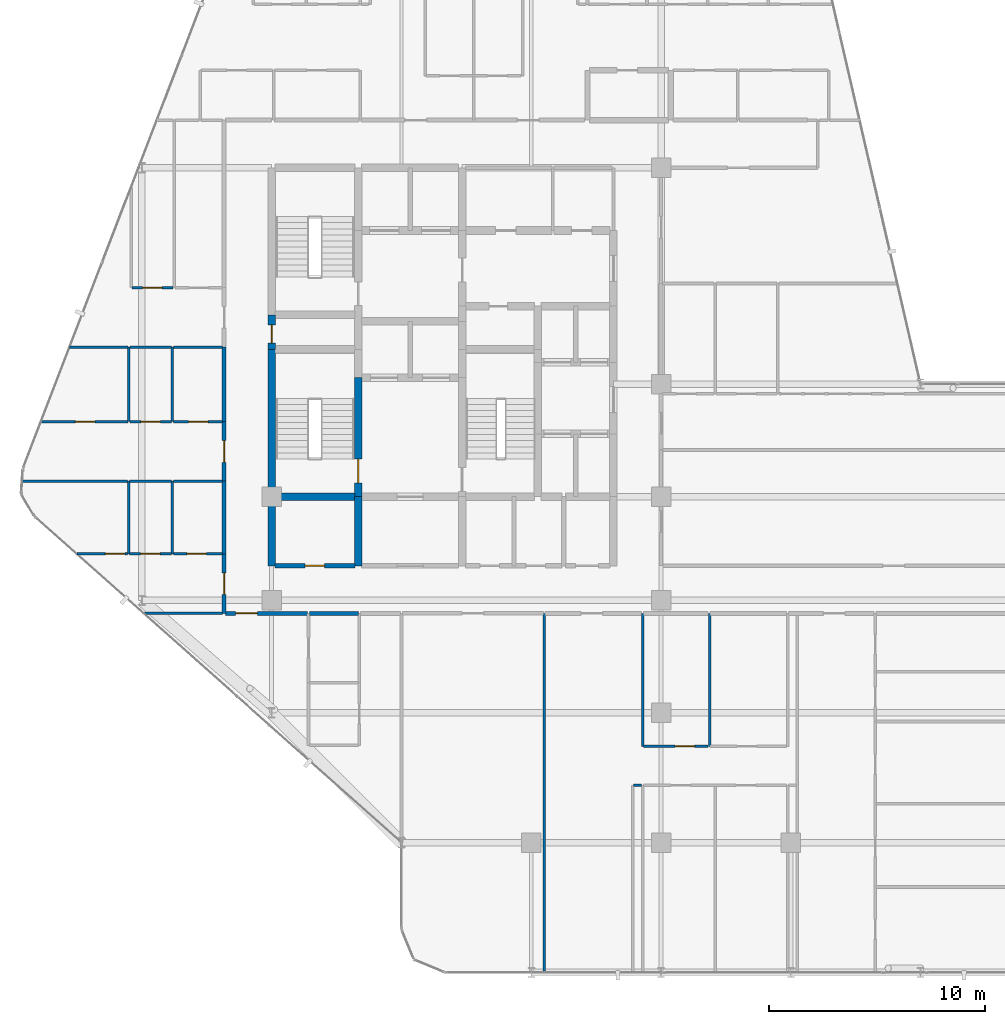
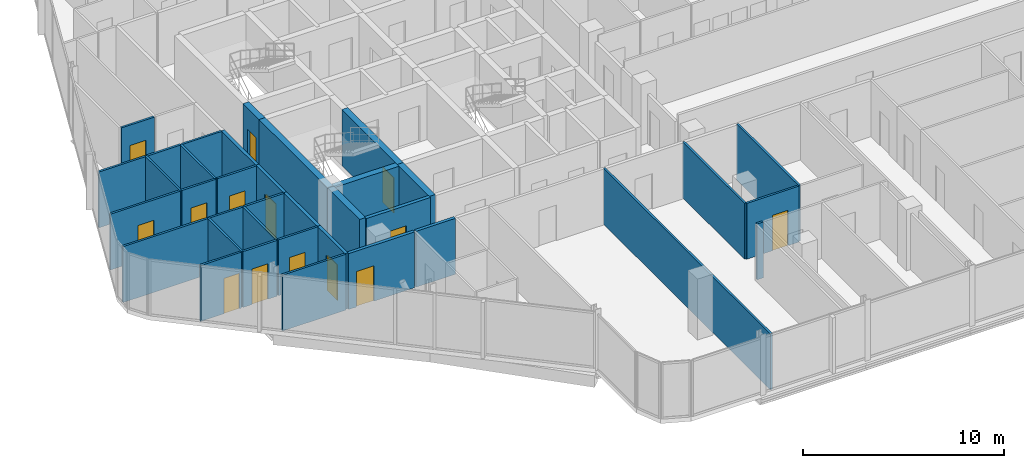
# One storey, part 23 of 29: 36 walls, 14 doors, 14 openings.
"""IFC4 building model written with IfcOpenShell, lengths in metres."""

import ifcopenshell
import ifcopenshell.guid

model = None  # the IFC model being written
_history = None  # IfcOwnerHistory: only IFC2X3 demands one
_inside = {}  # id of a spatial element -> (the spatial element, [elements in it])
_under = {}  # id of a project, library or spatial element -> (it, [spatial elements below it])
_declared = {}  # id of a project -> (the project, [libraries it declares])
_typed = {}  # id of a type object -> (the type object, [elements of that type])
_made_of = {}  # id of a material, layer set ... -> (it, [elements and type objects made of it])


def new_model(schema):
    """Start an empty IFC model of exactly this schema.

    Asked for "IFC4X3", IfcOpenShell would pick the latest addendum, in which some entities
    have other attributes; the version numbers below select the first issue.
    IFC2X3 requires an IfcOwnerHistory on every rooted entity: one is made here for all.
    """
    global model, _history
    if schema == "IFC4X3":
        model = ifcopenshell.file(schema_version=(4, 3, 0, 0))
    else:
        model = ifcopenshell.file(schema=schema)
    _inside.clear()
    _under.clear()
    _declared.clear()
    _typed.clear()
    _made_of.clear()
    _history = None
    if model.schema == "IFC2X3":
        org = make("IfcOrganization", Name="unknown")
        user = make(
            "IfcPersonAndOrganization",
            ThePerson=make("IfcPerson", FamilyName="unknown"),
            TheOrganization=org,
        )
        app = make(
            "IfcApplication",
            ApplicationDeveloper=org,
            Version="unknown",
            ApplicationFullName="unknown",
            ApplicationIdentifier="unknown",
        )
        _history = make(
            "IfcOwnerHistory",
            OwningUser=user,
            OwningApplication=app,
            ChangeAction="ADDED",
            CreationDate=0,
        )
    return model


def make(cls, **values):
    """One entity of the class cls with the attributes given. An attribute that is None is left unset."""
    return model.create_entity(
        cls, **{name: value for name, value in values.items() if value is not None}
    )


def rooted(cls, **values):
    """An entity with a GlobalId (a new one), such as an element, a storey or a relation."""
    return make(cls, GlobalId=ifcopenshell.guid.new(), OwnerHistory=_history, **values)


def si_unit(unit_type, name, prefix=None):
    """IfcSIUnit, for example si_unit("LENGTHUNIT", "METRE", prefix="MILLI")."""
    return make("IfcSIUnit", UnitType=unit_type, Prefix=prefix, Name=name)


def assignment(units):
    """IfcUnitAssignment: the units of a project."""
    return None if units is None else make("IfcUnitAssignment", Units=units)


def point(xyz):
    """IfcCartesianPoint."""
    return None if xyz is None else make("IfcCartesianPoint", Coordinates=xyz)


def direction(xyz):
    """IfcDirection."""
    return None if xyz is None else make("IfcDirection", DirectionRatios=xyz)


def frame(location, z_axis=None, x_axis=None):
    """IfcAxis2Placement3D, a coordinate frame: its origin and axes. An axis left out is left unset."""
    return make(
        "IfcAxis2Placement3D",
        Location=point(location),
        Axis=direction(z_axis),
        RefDirection=direction(x_axis),
    )


def frame_2d(location, x_axis=None):
    """IfcAxis2Placement2D, a coordinate frame in the plane: its origin and x axis."""
    return make(
        "IfcAxis2Placement2D", Location=point(location), RefDirection=direction(x_axis)
    )


def origin():
    """The frame at (0, 0, 0) with its axes left unset."""
    return frame((0.0, 0.0, 0.0))


def place(relative_to, where):
    """IfcLocalPlacement: puts the frame where relative to a parent placement (None: the world)."""
    return make(
        "IfcLocalPlacement", PlacementRelTo=relative_to, RelativePlacement=where
    )


def context(
    kind, dimensions, precision=None, world=None, true_north=None, identifier=None
):
    """IfcGeometricRepresentationContext, for example the 3D "Model" context."""
    return make(
        "IfcGeometricRepresentationContext",
        ContextIdentifier=identifier,
        ContextType=kind,
        CoordinateSpaceDimension=dimensions,
        Precision=precision,
        WorldCoordinateSystem=world,
        TrueNorth=true_north,
    )


def subcontext(parent, identifier, kind, view, scale=None):
    """IfcGeometricRepresentationSubContext, for example "Body" below "Model"."""
    return make(
        "IfcGeometricRepresentationSubContext",
        ContextIdentifier=identifier,
        ContextType=kind,
        ParentContext=parent,
        TargetScale=scale,
        TargetView=view,
    )


def project(units=None, contexts=None):
    """IfcProject with its units and contexts."""
    return rooted(
        "IfcProject",
        Name="project",
        RepresentationContexts=contexts,
        UnitsInContext=assignment(units),
    )


def spatial(cls, under=None, at=None, **own):
    """A site, building, storey or space (cls), placed at a placement, below another one or the project."""
    s = rooted(cls, ObjectPlacement=at, **own)
    if under is not None:
        _under.setdefault(under.id(), (under, []))[1].append(s)
    return s


def profile(cls, at=None, kind="AREA", **sizes):
    """A parametric profile (cls). Its sizes go by their IFC names, for example OverallWidth=200.0."""
    return make(cls, ProfileType=kind, Position=at, **sizes)


def rectangle(**sizes):
    """IfcRectangleProfileDef."""
    return profile("IfcRectangleProfileDef", **sizes)


def extrude(swept, where, along, depth):
    """IfcExtrudedAreaSolid: the profile swept, set in the frame where, extruded along a direction by depth."""
    return make(
        "IfcExtrudedAreaSolid",
        SweptArea=swept,
        Position=where,
        ExtrudedDirection=direction(along),
        Depth=depth,
    )


def shape(context_of_items, identifier, shape_type, items):
    """IfcShapeRepresentation: the items that make up one representation, for example the "Body"."""
    return make(
        "IfcShapeRepresentation",
        ContextOfItems=context_of_items,
        RepresentationIdentifier=identifier,
        RepresentationType=shape_type,
        Items=items,
    )


def material(Name=None, Category=None):
    """IfcMaterial."""
    return make("IfcMaterial", Name=Name, Category=Category)


def layer(
    of_material, thickness, ventilated=None, Name=None, Category=None, Priority=None
):
    """IfcMaterialLayer: one layer of a wall or slab, of a material (None: an air gap)."""
    return make(
        "IfcMaterialLayer",
        Material=of_material,
        LayerThickness=thickness,
        IsVentilated=ventilated,
        Name=Name,
        Category=Category,
        Priority=Priority,
    )


def layer_set(layers, Name=None):
    """IfcMaterialLayerSet."""
    return make("IfcMaterialLayerSet", MaterialLayers=layers, LayerSetName=Name)


def made_of(thing, what):
    """Note that an element or type object is made of a material, layer set ...; save() writes the relation."""
    if what is not None:
        _made_of.setdefault(what.id(), (what, []))[1].append(thing)
    return thing


def type_object(cls, material=None, **own):
    """A type object (cls), such as IfcWallType, which elements share."""
    return made_of(rooted(cls, **own), material)


def element(
    cls,
    number,
    at=None,
    inside=None,
    cuts=None,
    type_object=None,
    material=None,
    context=None,
    identifier="Body",
    shape_type=None,
    held_by="IfcProductDefinitionShape",
    body=None,
    shapes=None,
    **own,
):
    """One element of the class cls, such as IfcWall. Its Tag is "e" and its number.

    at: its placement. inside: the storey or other place that contains it. cuts: it is an
    opening in that element (IfcRelVoidsElement). A single representation is given by context,
    identifier, shape_type and body (its items); several are given by shapes. held_by: the class
    of the entity that holds the representations. save() writes the other relations.
    """
    e = rooted(cls, Tag="e%d" % number, ObjectPlacement=at, **own)
    if body is not None:
        shapes = [shape(context, identifier, shape_type, body)]
    if shapes is not None:
        e.Representation = make(held_by, Representations=shapes)
    if inside is not None:
        _inside.setdefault(inside.id(), (inside, []))[1].append(e)
    if cuts is not None:
        rooted(
            "IfcRelVoidsElement", RelatingBuildingElement=cuts, RelatedOpeningElement=e
        )
    if type_object is not None:
        _typed.setdefault(type_object.id(), (type_object, []))[1].append(e)
    return made_of(e, material)


def fill(opening, filler):
    """IfcRelFillsElement: the door or window that sits in an opening."""
    return rooted(
        "IfcRelFillsElement",
        RelatingOpeningElement=opening,
        RelatedBuildingElement=filler,
    )


def aggregate(whole, parts):
    """IfcRelAggregates: a whole, such as a stair, and the parts it consists of."""
    return rooted("IfcRelAggregates", RelatingObject=whole, RelatedObjects=parts)


def save(model, path):
    """Write the relations noted so far, then the file.

    IfcRelAggregates (storeys below a building ...), IfcRelContainedInSpatialStructure (elements
    in a storey), IfcRelDefinesByType, IfcRelAssociatesMaterial and IfcRelDeclares: one each for
    every whole, place, type object, material and project.
    """
    for whole, parts in _under.values():
        aggregate(whole, parts)
    for where, things in _inside.values():
        rooted(
            "IfcRelContainedInSpatialStructure",
            RelatedElements=things,
            RelatingStructure=where,
        )
    for kind, things in _typed.values():
        rooted("IfcRelDefinesByType", RelatedObjects=things, RelatingType=kind)
    for what, things in _made_of.values():
        rooted("IfcRelAssociatesMaterial", RelatedObjects=things, RelatingMaterial=what)
    for by, libraries in _declared.values():
        rooted("IfcRelDeclares", RelatingContext=by, RelatedDefinitions=libraries)
    model.write(path)


model = new_model("IFC4")

# Units and contexts
model_context = context("Model", 3, precision=1e-05, world=origin(), true_north=direction((0.0, 1.0)))
body_context = subcontext(model_context, "Body", "Model", "MODEL_VIEW")
ifc_project = project(units=[si_unit("LENGTHUNIT", "METRE"), si_unit("AREAUNIT", "SQUARE_METRE"), si_unit("VOLUMEUNIT", "CUBIC_METRE"), si_unit("PLANEANGLEUNIT", "RADIAN"), si_unit("MASSUNIT", "GRAM", prefix="KILO")], contexts=[model_context])

# Site, building, storey
site_placement = place(None, origin())
site = spatial("IfcSite", under=ifc_project, at=site_placement, CompositionType="ELEMENT")
building_placement = place(site_placement, origin())
building = spatial("IfcBuilding", under=site, at=building_placement, Name="Keshet Zoharim Tower", CompositionType="ELEMENT")
storey_placement = place(building_placement, frame((0.0, 0.0, 203.199951171875)))
storey = spatial("IfcBuildingStorey", under=building, at=storey_placement, Name="L50", CompositionType="ELEMENT", Elevation=203.199951171875)

# Walls
ifc_material_1 = material(Name="Concrete C60/75", Category="concrete")
ifc_layer_1 = layer(ifc_material_1, 0.35009765625)
ifc_layer_set_1 = layer_set([ifc_layer_1], Name="Concrete C60/75")
wall_type_1 = type_object("IfcWallType", Name="WL-CORE-350", PredefinedType="SHEAR", material=ifc_layer_set_1)
wall_1_placement = place(storey_placement, frame((15.0, 19.5, 0.0), z_axis=(0.0, 0.0, 1.0), x_axis=(0.0, 1.0, 0.0)))
element("IfcWall", 1, at=wall_1_placement, inside=storey, type_object=wall_type_1, Name="L50 Core Shear Wall 015", PredefinedType="SHEAR", context=body_context, shape_type="SweptSolid", body=[
    extrude(rectangle(XDim=3.199951171875, YDim=0.35009765625, at=frame_2d((1.60009765625, 0.0))), origin(), (0.0, 0.0, 1.0), 3.39013671875),
])
wall_2_placement = place(storey_placement, frame((15.0, 22.699951171875, 0.0), z_axis=(0.0, 0.0, 1.0), x_axis=(0.0, 1.0, 0.0)))
element("IfcWall", 2, at=wall_2_placement, inside=storey, type_object=wall_type_1, Name="L50 Core Shear Wall 016", PredefinedType="SHEAR", context=body_context, shape_type="SweptSolid", body=[
    extrude(rectangle(XDim=6.800048828125, YDim=0.35009765625, at=frame_2d((3.39990234375, 0.0))), origin(), (0.0, 0.0, 1.0), 3.39013671875),
])

# Wall, opening, door
wall_3_placement = place(storey_placement, frame((15.0, 29.5, 0.0), z_axis=(0.0, 0.0, 1.0), x_axis=(0.0, 1.0, 0.0)))
wall_3 = element("IfcWall", 3, at=wall_3_placement, inside=storey, type_object=wall_type_1, Name="L50 Core Shear Wall 017", PredefinedType="SHEAR", context=body_context, shape_type="SweptSolid", body=[
    extrude(rectangle(XDim=1.60009765625, YDim=0.35009765625, at=frame_2d((0.800048828125, 0.0))), origin(), (0.0, 0.0, 1.0), 3.39013671875),
])
opening_1_placement = place(wall_3_placement, frame((0.287109375, 0.0, 0.0)))
opening_1 = element("IfcOpeningElement", 4, at=opening_1_placement, cuts=wall_3, Name="Opening D-RS85", PredefinedType="OPENING", context=body_context, shape_type="SweptSolid", body=[
    extrude(rectangle(XDim=0.85009765625, YDim=2.10009765625, at=frame_2d((0.425048828125, 1.050048828125))), frame((0.0, 0.18505859375, 0.0), z_axis=(0.0, -1.0, 0.0), x_axis=(1.0, 0.0, 0.0)), (0.0, 0.0, 1.0), 0.3701171875),
])
ifc_material_2 = material(Name="Hardwood Timber", Category="wood")
door_type_1 = type_object("IfcDoorType", Name="DR-RIS-085", OperationType="NOTDEFINED", PredefinedType="DOOR", material=ifc_material_2)
door_1_placement = place(opening_1_placement, origin())
door_1 = element("IfcDoor", 5, at=door_1_placement, inside=storey, type_object=door_type_1, Name="L50 Electrical Riser Access Cupboard Door", OperationType="SINGLE_SWING_RIGHT", OverallHeight=2.10009765625, OverallWidth=0.85009765625, PredefinedType="DOOR", context=body_context, shape_type="SweptSolid", body=[
    extrude(rectangle(XDim=0.85009765625, YDim=2.10009765625, at=frame_2d((0.425048828125, 1.050048828125))), frame((0.0, 0.02490234375, 0.0), z_axis=(0.0, -1.0, 0.0), x_axis=(1.0, 0.0, 0.0)), (0.0, 0.0, 1.0), 0.050048828125),
])
fill(opening_1, door_1)

# Wall
wall_4_placement = place(storey_placement, frame((19.0, 19.5, 0.0), z_axis=(0.0, 0.0, 1.0), x_axis=(0.0, 1.0, 0.0)))
element("IfcWall", 6, at=wall_4_placement, inside=storey, type_object=wall_type_1, Name="L50 Core Shear Wall 023", PredefinedType="SHEAR", context=body_context, shape_type="SweptSolid", body=[
    extrude(rectangle(XDim=3.199951171875, YDim=0.35009765625, at=frame_2d((1.60009765625, 0.0))), origin(), (0.0, 0.0, 1.0), 3.39013671875),
])

# Wall, opening, door
wall_5_placement = place(storey_placement, frame((19.0, 22.699951171875, 0.0), z_axis=(0.0, 0.0, 1.0), x_axis=(0.0, 1.0, 0.0)))
wall_5 = element("IfcWall", 7, at=wall_5_placement, inside=storey, type_object=wall_type_1, Name="L50 Core Shear Wall 024", PredefinedType="SHEAR", context=body_context, shape_type="SweptSolid", body=[
    extrude(rectangle(XDim=5.5, YDim=0.35009765625, at=frame_2d((2.75, 0.0))), origin(), (0.0, 0.0, 1.0), 3.39013671875),
])
opening_2_placement = place(wall_5_placement, frame((0.631103515625, 0.0, 0.0)))
opening_2 = element("IfcOpeningElement", 8, at=opening_2_placement, cuts=wall_5, Name="Opening D-F611", PredefinedType="OPENING", context=body_context, shape_type="SweptSolid", body=[
    extrude(rectangle(XDim=1.10009765625, YDim=2.14990234375, at=frame_2d((0.550048828125, 1.074951171875))), frame((0.0, 0.18505859375, 0.0), z_axis=(0.0, -1.0, 0.0), x_axis=(1.0, 0.0, 0.0)), (0.0, 0.0, 1.0), 0.3701171875),
])
door_type_2 = type_object("IfcDoorType", Name="DR-FD60-110", OperationType="NOTDEFINED", PredefinedType="DOOR", material=ifc_material_2)
door_2_placement = place(opening_2_placement, origin())
door_2 = element("IfcDoor", 9, at=door_2_placement, inside=storey, type_object=door_type_2, Name="L50 Exit Stair ST-01 Fire Door", OperationType="SINGLE_SWING_RIGHT", OverallHeight=2.14990234375, OverallWidth=1.10009765625, PredefinedType="DOOR", context=body_context, shape_type="SweptSolid", body=[
    extrude(rectangle(XDim=1.10009765625, YDim=2.14990234375, at=frame_2d((0.550048828125, 1.074951171875))), frame((0.0, 0.02490234375, 0.0), z_axis=(0.0, -1.0, 0.0), x_axis=(1.0, 0.0, 0.0)), (0.0, 0.0, 1.0), 0.050048828125),
])
fill(opening_2, door_2)

# Wall
wall_6_placement = place(storey_placement, frame((15.159912109375, 22.699951171875, 0.0), z_axis=(0.0, 0.0, 1.0), x_axis=(1.0, 0.0, 0.0)))
element("IfcWall", 10, at=wall_6_placement, inside=storey, type_object=wall_type_1, Name="L50 Core Shear Wall 132", PredefinedType="SHEAR", context=body_context, shape_type="SweptSolid", body=[
    extrude(rectangle(XDim=3.68017578125, YDim=0.35009765625, at=frame_2d((1.840087890625, 0.0))), origin(), (0.0, 0.0, 1.0), 3.39013671875),
])

# Wall, opening, door
ifc_material_3 = material(Name="Gypsum Plasterboard", Category="gypsum")
ifc_layer_2 = layer(ifc_material_3, 0.179931640625)
ifc_layer_set_2 = layer_set([ifc_layer_2], Name="Gypsum Plasterboard")
wall_type_2 = type_object("IfcWallType", Name="WL-CORR-180", PredefinedType="STANDARD", material=ifc_layer_set_2)
wall_7_placement = place(storey_placement, frame((12.800048828125, 17.300048828125, 0.0), z_axis=(0.0, 0.0, 1.0), x_axis=(0.0, 1.0, 0.0)))
wall_7 = element("IfcWall", 11, at=wall_7_placement, inside=storey, type_object=wall_type_2, Name="L50 Interior Wall 008", PredefinedType="STANDARD", context=body_context, shape_type="SweptSolid", body=[
    extrude(rectangle(XDim=2.75, YDim=0.179931640625, at=frame_2d((1.375, 0.0))), origin(), (0.0, 0.0, 1.0), 3.39013671875),
])
opening_3_placement = place(wall_7_placement, frame((0.875, 0.0, 0.0)))
opening_3 = element("IfcOpeningElement", 12, at=opening_3_placement, cuts=wall_7, Name="Opening D-F310", PredefinedType="OPENING", context=body_context, shape_type="SweptSolid", body=[
    extrude(rectangle(XDim=1.0, YDim=2.14990234375, at=frame_2d((0.5, 1.074951171875))), frame((0.0, 0.10009765625, 0.0), z_axis=(0.0, -1.0, 0.0), x_axis=(1.0, 0.0, 0.0)), (0.0, 0.0, 1.0), 0.199951171875),
])
door_type_3 = type_object("IfcDoorType", Name="DR-FD30-100", OperationType="NOTDEFINED", PredefinedType="DOOR", material=ifc_material_2)
door_3_placement = place(opening_3_placement, origin())
door_3 = element("IfcDoor", 13, at=door_3_placement, inside=storey, type_object=door_type_3, Name="Apartment 5007 Entrance Door", OperationType="SINGLE_SWING_LEFT", OverallHeight=2.14990234375, OverallWidth=1.0, PredefinedType="DOOR", context=body_context, shape_type="SweptSolid", body=[
    extrude(rectangle(XDim=1.0, YDim=2.14990234375, at=frame_2d((0.5, 1.074951171875))), frame((0.0, 0.02490234375, 0.0), z_axis=(0.0, -1.0, 0.0), x_axis=(1.0, 0.0, 0.0)), (0.0, 0.0, 1.0), 0.050048828125),
])
fill(opening_3, door_3)

# Wall
wall_8_placement = place(storey_placement, frame((12.800048828125, 20.050048828125, 0.0), z_axis=(0.0, 0.0, 1.0), x_axis=(0.0, 1.0, 0.0)))
element("IfcWall", 14, at=wall_8_placement, inside=storey, type_object=wall_type_2, Name="L50 Interior Wall 009", PredefinedType="STANDARD", context=body_context, shape_type="SweptSolid", body=[
    extrude(rectangle(XDim=3.35986328125, YDim=0.179931640625, at=frame_2d((1.679931640625, 0.0))), origin(), (0.0, 0.0, 1.0), 3.39013671875),
])

# Wall, opening, door
wall_9_placement = place(storey_placement, frame((12.800048828125, 23.409912109375, 0.0), z_axis=(0.0, 0.0, 1.0), x_axis=(0.0, 1.0, 0.0)))
wall_9 = element("IfcWall", 15, at=wall_9_placement, inside=storey, type_object=wall_type_2, Name="L50 Interior Wall 010", PredefinedType="STANDARD", context=body_context, shape_type="SweptSolid", body=[
    extrude(rectangle(XDim=2.75, YDim=0.179931640625, at=frame_2d((1.375, 0.0))), origin(), (0.0, 0.0, 1.0), 3.39013671875),
])
opening_4_placement = place(wall_9_placement, frame((0.875, 0.0, 0.0)))
opening_4 = element("IfcOpeningElement", 16, at=opening_4_placement, cuts=wall_9, Name="Opening D-F310", PredefinedType="OPENING", context=body_context, shape_type="SweptSolid", body=[
    extrude(rectangle(XDim=1.0, YDim=2.14990234375, at=frame_2d((0.5, 1.074951171875))), frame((0.0, 0.10009765625, 0.0), z_axis=(0.0, -1.0, 0.0), x_axis=(1.0, 0.0, 0.0)), (0.0, 0.0, 1.0), 0.199951171875),
])
door_4_placement = place(opening_4_placement, origin())
door_4 = element("IfcDoor", 17, at=door_4_placement, inside=storey, type_object=door_type_3, Name="Apartment 5008 Entrance Door", OperationType="SINGLE_SWING_RIGHT", OverallHeight=2.14990234375, OverallWidth=1.0, PredefinedType="DOOR", context=body_context, shape_type="SweptSolid", body=[
    extrude(rectangle(XDim=1.0, YDim=2.14990234375, at=frame_2d((0.5, 1.074951171875))), frame((0.0, 0.02490234375, 0.0), z_axis=(0.0, -1.0, 0.0), x_axis=(1.0, 0.0, 0.0)), (0.0, 0.0, 1.0), 0.050048828125),
])
fill(opening_4, door_4)

# Wall
wall_10_placement = place(storey_placement, frame((12.800048828125, 26.159912109375, 0.0), z_axis=(0.0, 0.0, 1.0), x_axis=(0.0, 1.0, 0.0)))
element("IfcWall", 18, at=wall_10_placement, inside=storey, type_object=wall_type_2, Name="L50 Interior Wall 011", PredefinedType="STANDARD", context=body_context, shape_type="SweptSolid", body=[
    extrude(rectangle(XDim=3.4501953125, YDim=0.179931640625, at=frame_2d((1.72509765625, 0.0))), origin(), (0.0, 0.0, 1.0), 3.39013671875),
])

# Wall, opening, door
wall_11_placement = place(storey_placement, frame((12.875, 17.300048828125, 0.0), z_axis=(0.0, 0.0, 1.0), x_axis=(1.0, 0.0, 0.0)))
wall_11 = element("IfcWall", 19, at=wall_11_placement, inside=storey, type_object=wall_type_2, Name="L50 Interior Wall 112", PredefinedType="STANDARD", context=body_context, shape_type="SweptSolid", body=[
    extrude(rectangle(XDim=3.780029296875, YDim=0.179931640625, at=frame_2d((1.89013671875, 0.0))), origin(), (0.0, 0.0, 1.0), 3.39013671875),
])
opening_5_placement = place(wall_11_placement, frame((0.4580078125, 0.0, 0.0)))
opening_5 = element("IfcOpeningElement", 20, at=opening_5_placement, cuts=wall_11, Name="Opening D-F310", PredefinedType="OPENING", context=body_context, shape_type="SweptSolid", body=[
    extrude(rectangle(XDim=1.0, YDim=2.14990234375, at=frame_2d((0.5, 1.074951171875))), frame((0.0, 0.10009765625, 0.0), z_axis=(0.0, -1.0, 0.0), x_axis=(1.0, 0.0, 0.0)), (0.0, 0.0, 1.0), 0.199951171875),
])
door_5_placement = place(opening_5_placement, origin())
door_5 = element("IfcDoor", 21, at=door_5_placement, inside=storey, type_object=door_type_3, Name="Apartment 5001 Entrance Door", OperationType="SINGLE_SWING_LEFT", OverallHeight=2.14990234375, OverallWidth=1.0, PredefinedType="DOOR", context=body_context, shape_type="SweptSolid", body=[
    extrude(rectangle(XDim=1.0, YDim=2.14990234375, at=frame_2d((0.5, 1.074951171875))), frame((0.0, 0.02490234375, 0.0), z_axis=(0.0, -1.0, 0.0), x_axis=(1.0, 0.0, 0.0)), (0.0, 0.0, 1.0), 0.050048828125),
])
fill(opening_5, door_5)

# Wall
wall_12_placement = place(storey_placement, frame((16.7451171875, 17.300048828125, 0.0), z_axis=(0.0, 0.0, 1.0), x_axis=(1.0, 0.0, 0.0)))
element("IfcWall", 22, at=wall_12_placement, inside=storey, type_object=wall_type_2, Name="L50 Interior Wall 113", PredefinedType="STANDARD", context=body_context, shape_type="SweptSolid", body=[
    extrude(rectangle(XDim=2.259765625, YDim=0.179931640625, at=frame_2d((1.1298828125, 0.0))), origin(), (0.0, 0.0, 1.0), 3.39013671875),
])

# Wall, opening, door
ifc_material_4 = material(Name="Concrete C50/60", Category="concrete")
ifc_layer_3 = layer(ifc_material_4, 0.199951171875)
ifc_layer_set_3 = layer_set([ifc_layer_3], Name="Concrete C50/60")
wall_type_3 = type_object("IfcWallType", Name="WL-FIRE-200", PredefinedType="STANDARD", material=ifc_layer_set_3)
wall_13_placement = place(storey_placement, frame((15.159912109375, 19.5, 0.0), z_axis=(0.0, 0.0, 1.0), x_axis=(1.0, 0.0, 0.0)))
wall_13 = element("IfcWall", 23, at=wall_13_placement, inside=storey, type_object=wall_type_3, Name="L50 Interior Wall 124", PredefinedType="STANDARD", context=body_context, shape_type="SweptSolid", body=[
    extrude(rectangle(XDim=3.68017578125, YDim=0.199951171875, at=frame_2d((1.840087890625, 0.0))), origin(), (0.0, 0.0, 1.0), 3.39013671875),
])
opening_6_placement = place(wall_13_placement, frame((1.389892578125, 0.0, 0.0)))
opening_6 = element("IfcOpeningElement", 24, at=opening_6_placement, cuts=wall_13, Name="Opening D-F690", PredefinedType="OPENING", context=body_context, shape_type="SweptSolid", body=[
    extrude(rectangle(XDim=0.89990234375, YDim=2.14990234375, at=frame_2d((0.449951171875, 1.074951171875))), frame((0.0, 0.10986328125, 0.0), z_axis=(0.0, -1.0, 0.0), x_axis=(1.0, 0.0, 0.0)), (0.0, 0.0, 1.0), 0.219970703125),
])
door_type_4 = type_object("IfcDoorType", Name="DR-FD60-090", OperationType="NOTDEFINED", PredefinedType="DOOR", material=ifc_material_2)
door_6_placement = place(opening_6_placement, origin())
door_6 = element("IfcDoor", 25, at=door_6_placement, inside=storey, type_object=door_type_4, Name="L50 Pram Store Door", OperationType="SINGLE_SWING_RIGHT", OverallHeight=2.14990234375, OverallWidth=0.89990234375, PredefinedType="DOOR", context=body_context, shape_type="SweptSolid", body=[
    extrude(rectangle(XDim=0.89990234375, YDim=2.14990234375, at=frame_2d((0.449951171875, 1.074951171875))), frame((0.0, 0.02490234375, 0.0), z_axis=(0.0, -1.0, 0.0), x_axis=(1.0, 0.0, 0.0)), (0.0, 0.0, 1.0), 0.050048828125),
])
fill(opening_6, door_6)

# Walls
ifc_layer_4 = layer(ifc_material_3, 0.1201171875)
ifc_layer_set_4 = layer_set([ifc_layer_4], Name="Gypsum Plasterboard")
wall_type_4 = type_object("IfcWallType", Name="WL-PART-120", PredefinedType="PARTITIONING", material=ifc_layer_set_4)
wall_14_placement = place(storey_placement, frame((8.39990234375, 20.050048828125, 0.0), z_axis=(0.0, 0.0, 1.0), x_axis=(0.0, 1.0, 0.0)))
element("IfcWall", 26, at=wall_14_placement, inside=storey, type_object=wall_type_4, Name="L50 Interior Wall 001", PredefinedType="PARTITIONING", context=body_context, shape_type="SweptSolid", body=[
    extrude(rectangle(XDim=3.35986328125, YDim=0.1201171875, at=frame_2d((1.679931640625, 0.0))), origin(), (0.0, 0.0, 1.0), 3.39013671875),
])
wall_15_placement = place(storey_placement, frame((8.39990234375, 26.159912109375, 0.0), z_axis=(0.0, 0.0, 1.0), x_axis=(0.0, 1.0, 0.0)))
element("IfcWall", 27, at=wall_15_placement, inside=storey, type_object=wall_type_4, Name="L50 Interior Wall 002", PredefinedType="PARTITIONING", context=body_context, shape_type="SweptSolid", body=[
    extrude(rectangle(XDim=3.4501953125, YDim=0.1201171875, at=frame_2d((1.72509765625, 0.0))), origin(), (0.0, 0.0, 1.0), 3.39013671875),
])
wall_16_placement = place(storey_placement, frame((27.60009765625, 0.7099609375, 0.0), z_axis=(0.0, 0.0, 1.0), x_axis=(0.0, 1.0, 0.0)))
element("IfcWall", 28, at=wall_16_placement, inside=storey, type_object=wall_type_4, Name="L50 Interior Wall 052", PredefinedType="PARTITIONING", context=body_context, shape_type="SweptSolid", body=[
    extrude(rectangle(XDim=16.590087890625, YDim=0.1201171875, at=frame_2d((8.294921875, 0.0))), origin(), (0.0, 0.0, 1.0), 3.39013671875),
])
wall_17_placement = place(storey_placement, frame((32.14990234375, 11.14990234375, 0.0), z_axis=(0.0, 0.0, 1.0), x_axis=(0.0, 1.0, 0.0)))
element("IfcWall", 29, at=wall_17_placement, inside=storey, type_object=wall_type_4, Name="L50 Interior Wall 068", PredefinedType="PARTITIONING", context=body_context, shape_type="SweptSolid", body=[
    extrude(rectangle(XDim=6.150146484375, YDim=0.1201171875, at=frame_2d((3.0751953125, 0.0))), origin(), (0.0, 0.0, 1.0), 3.39013671875),
])
wall_18_placement = place(storey_placement, frame((31.735107421875, 9.35009765625, 0.0), z_axis=(0.0, 0.0, 1.0), x_axis=(1.0, 0.0, 0.0)))
element("IfcWall", 30, at=wall_18_placement, inside=storey, type_object=wall_type_4, Name="L50 Interior Wall 100", PredefinedType="PARTITIONING", context=body_context, shape_type="SweptSolid", body=[
    extrude(rectangle(XDim=0.35986328125, YDim=0.1201171875, at=frame_2d((0.179931640625, 0.0))), origin(), (0.0, 0.0, 1.0), 3.39013671875),
])

# Wall, opening, door
wall_19_placement = place(storey_placement, frame((32.18505859375, 11.14990234375, 0.0), z_axis=(0.0, 0.0, 1.0), x_axis=(1.0, 0.0, 0.0)))
wall_19 = element("IfcWall", 31, at=wall_19_placement, inside=storey, type_object=wall_type_4, Name="L50 Interior Wall 103", PredefinedType="PARTITIONING", context=body_context, shape_type="SweptSolid", body=[
    extrude(rectangle(XDim=2.996826171875, YDim=0.1201171875, at=frame_2d((1.49853515625, 0.0))), origin(), (0.0, 0.0, 1.0), 3.39013671875),
])
opening_7_placement = place(wall_19_placement, frame((1.469970703125, 0.0, 0.0)))
opening_7 = element("IfcOpeningElement", 32, at=opening_7_placement, cuts=wall_19, Name="Opening D-IN90", PredefinedType="OPENING", context=body_context, shape_type="SweptSolid", body=[
    extrude(rectangle(XDim=0.89990234375, YDim=2.14990234375, at=frame_2d((0.449951171875, 1.074951171875))), frame((0.0, 0.070068359375, 0.0), z_axis=(0.0, -1.0, 0.0), x_axis=(1.0, 0.0, 0.0)), (0.0, 0.0, 1.0), 0.14013671875),
])
door_type_5 = type_object("IfcDoorType", Name="DR-INT-090", OperationType="NOTDEFINED", PredefinedType="DOOR", material=ifc_material_2)
door_7_placement = place(opening_7_placement, origin())
door_7 = element("IfcDoor", 33, at=door_7_placement, inside=storey, type_object=door_type_5, Name="Apartment 5002 Kitchen Door", OperationType="SINGLE_SWING_LEFT", OverallHeight=2.14990234375, OverallWidth=0.89990234375, PredefinedType="DOOR", context=body_context, shape_type="SweptSolid", body=[
    extrude(rectangle(XDim=0.89990234375, YDim=2.14990234375, at=frame_2d((0.449951171875, 1.074951171875))), frame((0.0, 0.02490234375, 0.0), z_axis=(0.0, -1.0, 0.0), x_axis=(1.0, 0.0, 0.0)), (0.0, 0.0, 1.0), 0.050048828125),
])
fill(opening_7, door_7)

# Wall
wall_20_placement = place(storey_placement, frame((9.0849609375, 17.300048828125, 0.0), z_axis=(0.0, 0.0, 1.0), x_axis=(1.0, 0.0, 0.0)))
element("IfcWall", 34, at=wall_20_placement, inside=storey, type_object=wall_type_4, Name="L50 Interior Wall 111", PredefinedType="PARTITIONING", context=body_context, shape_type="SweptSolid", body=[
    extrude(rectangle(XDim=3.64013671875, YDim=0.1201171875, at=frame_2d((1.820068359375, 0.0))), origin(), (0.0, 0.0, 1.0), 3.39013671875),
])

# Wall, opening, door
wall_21_placement = place(storey_placement, frame((5.990966796875, 20.050048828125, 0.0), z_axis=(0.0, 0.0, 1.0), x_axis=(1.0, 0.0, 0.0)))
wall_21 = element("IfcWall", 35, at=wall_21_placement, inside=storey, type_object=wall_type_4, Name="L50 Interior Wall 129", PredefinedType="PARTITIONING", context=body_context, shape_type="SweptSolid", body=[
    extrude(rectangle(XDim=2.340087890625, YDim=0.1201171875, at=frame_2d((1.169921875, 0.0))), origin(), (0.0, 0.0, 1.0), 3.39013671875),
])
opening_8_placement = place(wall_21_placement, frame((1.320068359375, 0.0, 0.0)))
opening_8 = element("IfcOpeningElement", 36, at=opening_8_placement, cuts=wall_21, Name="Opening D-IN90", PredefinedType="OPENING", context=body_context, shape_type="SweptSolid", body=[
    extrude(rectangle(XDim=0.89990234375, YDim=2.14990234375, at=frame_2d((0.449951171875, 1.074951171875))), frame((0.0, 0.070068359375, 0.0), z_axis=(0.0, -1.0, 0.0), x_axis=(1.0, 0.0, 0.0)), (0.0, 0.0, 1.0), 0.14013671875),
])
door_8_placement = place(opening_8_placement, origin())
door_8 = element("IfcDoor", 37, at=door_8_placement, inside=storey, type_object=door_type_5, Name="Apartment 5007 Bedroom 1 Door", OperationType="SINGLE_SWING_RIGHT", OverallHeight=2.14990234375, OverallWidth=0.89990234375, PredefinedType="DOOR", context=body_context, shape_type="SweptSolid", body=[
    extrude(rectangle(XDim=0.89990234375, YDim=2.14990234375, at=frame_2d((0.449951171875, 1.074951171875))), frame((0.0, 0.02490234375, 0.0), z_axis=(0.0, -1.0, 0.0), x_axis=(1.0, 0.0, 0.0)), (0.0, 0.0, 1.0), 0.050048828125),
])
fill(opening_8, door_8)

wall_22_placement = place(storey_placement, frame((8.4208984375, 20.050048828125, 0.0), z_axis=(0.0, 0.0, 1.0), x_axis=(1.0, 0.0, 0.0)))
wall_22 = element("IfcWall", 38, at=wall_22_placement, inside=storey, type_object=wall_type_4, Name="L50 Interior Wall 130", PredefinedType="PARTITIONING", context=body_context, shape_type="SweptSolid", body=[
    extrude(rectangle(XDim=1.945068359375, YDim=0.1201171875, at=frame_2d((0.97265625, 0.0))), origin(), (0.0, 0.0, 1.0), 3.39013671875),
])
opening_9_placement = place(wall_22_placement, frame((0.52197265625, 0.0, 0.0)))
opening_9 = element("IfcOpeningElement", 39, at=opening_9_placement, cuts=wall_22, Name="Opening D-IN90", PredefinedType="OPENING", context=body_context, shape_type="SweptSolid", body=[
    extrude(rectangle(XDim=0.89990234375, YDim=2.14990234375, at=frame_2d((0.449951171875, 1.074951171875))), frame((0.0, 0.070068359375, 0.0), z_axis=(0.0, -1.0, 0.0), x_axis=(1.0, 0.0, 0.0)), (0.0, 0.0, 1.0), 0.14013671875),
])
door_9_placement = place(opening_9_placement, origin())
door_9 = element("IfcDoor", 40, at=door_9_placement, inside=storey, type_object=door_type_5, Name="Apartment 5007 Kitchen Door", OperationType="SINGLE_SWING_LEFT", OverallHeight=2.14990234375, OverallWidth=0.89990234375, PredefinedType="DOOR", context=body_context, shape_type="SweptSolid", body=[
    extrude(rectangle(XDim=0.89990234375, YDim=2.14990234375, at=frame_2d((0.449951171875, 1.074951171875))), frame((0.0, 0.02490234375, 0.0), z_axis=(0.0, -1.0, 0.0), x_axis=(1.0, 0.0, 0.0)), (0.0, 0.0, 1.0), 0.050048828125),
])
fill(opening_9, door_9)

# Walls
wall_23_placement = place(storey_placement, frame((3.468994140625, 23.39990234375, 0.0), z_axis=(0.0, 0.0, 1.0), x_axis=(1.0, 0.0, 0.0)))
element("IfcWall", 41, at=wall_23_placement, inside=storey, type_object=wall_type_4, Name="L50 Interior Wall 137", PredefinedType="PARTITIONING", context=body_context, shape_type="SweptSolid", body=[
    extrude(rectangle(XDim=4.862060546875, YDim=0.1201171875, at=frame_2d((2.43115234375, 0.0))), origin(), (0.0, 0.0, 1.0), 3.39013671875),
])
wall_24_placement = place(storey_placement, frame((8.4208984375, 23.39990234375, 0.0), z_axis=(0.0, 0.0, 1.0), x_axis=(1.0, 0.0, 0.0)))
element("IfcWall", 42, at=wall_24_placement, inside=storey, type_object=wall_type_4, Name="L50 Interior Wall 138", PredefinedType="PARTITIONING", context=body_context, shape_type="SweptSolid", body=[
    extrude(rectangle(XDim=1.945068359375, YDim=0.1201171875, at=frame_2d((0.97265625, 0.0))), origin(), (0.0, 0.0, 1.0), 3.39013671875),
])

# Wall, opening, door
wall_25_placement = place(storey_placement, frame((4.3369140625, 26.14990234375, 0.0), z_axis=(0.0, 0.0, 1.0), x_axis=(1.0, 0.0, 0.0)))
wall_25 = element("IfcWall", 43, at=wall_25_placement, inside=storey, type_object=wall_type_4, Name="L50 Interior Wall 142", PredefinedType="PARTITIONING", context=body_context, shape_type="SweptSolid", body=[
    extrude(rectangle(XDim=4.01220703125, YDim=0.1201171875, at=frame_2d((2.006103515625, 0.0))), origin(), (0.0, 0.0, 1.0), 3.39013671875),
])
opening_10_placement = place(wall_25_placement, frame((1.5859375, 0.0, 0.0)))
opening_10 = element("IfcOpeningElement", 44, at=opening_10_placement, cuts=wall_25, Name="Opening D-IN90", PredefinedType="OPENING", context=body_context, shape_type="SweptSolid", body=[
    extrude(rectangle(XDim=0.89990234375, YDim=2.14990234375, at=frame_2d((0.449951171875, 1.074951171875))), frame((0.0, 0.070068359375, 0.0), z_axis=(0.0, -1.0, 0.0), x_axis=(1.0, 0.0, 0.0)), (0.0, 0.0, 1.0), 0.14013671875),
])
door_10_placement = place(opening_10_placement, origin())
door_10 = element("IfcDoor", 45, at=door_10_placement, inside=storey, type_object=door_type_5, Name="Apartment 5008 Bedroom 1 Door", OperationType="SINGLE_SWING_RIGHT", OverallHeight=2.14990234375, OverallWidth=0.89990234375, PredefinedType="DOOR", context=body_context, shape_type="SweptSolid", body=[
    extrude(rectangle(XDim=0.89990234375, YDim=2.14990234375, at=frame_2d((0.449951171875, 1.074951171875))), frame((0.0, 0.02490234375, 0.0), z_axis=(0.0, -1.0, 0.0), x_axis=(1.0, 0.0, 0.0)), (0.0, 0.0, 1.0), 0.050048828125),
])
fill(opening_10, door_10)

wall_26_placement = place(storey_placement, frame((8.43896484375, 26.14990234375, 0.0), z_axis=(0.0, 0.0, 1.0), x_axis=(1.0, 0.0, 0.0)))
wall_26 = element("IfcWall", 46, at=wall_26_placement, inside=storey, type_object=wall_type_4, Name="L50 Interior Wall 143", PredefinedType="PARTITIONING", context=body_context, shape_type="SweptSolid", body=[
    extrude(rectangle(XDim=1.93701171875, YDim=0.1201171875, at=frame_2d((0.968505859375, 0.0))), origin(), (0.0, 0.0, 1.0), 3.39013671875),
])
opening_11_placement = place(wall_26_placement, frame((0.51806640625, 0.0, 0.0)))
opening_11 = element("IfcOpeningElement", 47, at=opening_11_placement, cuts=wall_26, Name="Opening D-IN90", PredefinedType="OPENING", context=body_context, shape_type="SweptSolid", body=[
    extrude(rectangle(XDim=0.89990234375, YDim=2.14990234375, at=frame_2d((0.449951171875, 1.074951171875))), frame((0.0, 0.070068359375, 0.0), z_axis=(0.0, -1.0, 0.0), x_axis=(1.0, 0.0, 0.0)), (0.0, 0.0, 1.0), 0.14013671875),
])
door_11_placement = place(opening_11_placement, origin())
door_11 = element("IfcDoor", 48, at=door_11_placement, inside=storey, type_object=door_type_5, Name="Apartment 5008 Kitchen Door", OperationType="SINGLE_SWING_LEFT", OverallHeight=2.14990234375, OverallWidth=0.89990234375, PredefinedType="DOOR", context=body_context, shape_type="SweptSolid", body=[
    extrude(rectangle(XDim=0.89990234375, YDim=2.14990234375, at=frame_2d((0.449951171875, 1.074951171875))), frame((0.0, 0.02490234375, 0.0), z_axis=(0.0, -1.0, 0.0), x_axis=(1.0, 0.0, 0.0)), (0.0, 0.0, 1.0), 0.050048828125),
])
fill(opening_11, door_11)

# Walls
wall_27_placement = place(storey_placement, frame((5.6640625, 29.60009765625, 0.0), z_axis=(0.0, 0.0, 1.0), x_axis=(1.0, 0.0, 0.0)))
element("IfcWall", 49, at=wall_27_placement, inside=storey, type_object=wall_type_4, Name="L50 Interior Wall 152", PredefinedType="PARTITIONING", context=body_context, shape_type="SweptSolid", body=[
    extrude(rectangle(XDim=2.68505859375, YDim=0.1201171875, at=frame_2d((1.342529296875, 0.0))), origin(), (0.0, 0.0, 1.0), 3.39013671875),
])
wall_28_placement = place(storey_placement, frame((8.43896484375, 29.60009765625, 0.0), z_axis=(0.0, 0.0, 1.0), x_axis=(1.0, 0.0, 0.0)))
element("IfcWall", 50, at=wall_28_placement, inside=storey, type_object=wall_type_4, Name="L50 Interior Wall 153", PredefinedType="PARTITIONING", context=body_context, shape_type="SweptSolid", body=[
    extrude(rectangle(XDim=1.93701171875, YDim=0.1201171875, at=frame_2d((0.968505859375, 0.0))), origin(), (0.0, 0.0, 1.0), 3.39013671875),
])

# Wall, opening, door
wall_29_placement = place(storey_placement, frame((8.544921875, 32.35009765625, 0.0), z_axis=(0.0, 0.0, 1.0), x_axis=(1.0, 0.0, 0.0)))
wall_29 = element("IfcWall", 51, at=wall_29_placement, inside=storey, type_object=wall_type_4, Name="L50 Interior Wall 159", PredefinedType="PARTITIONING", context=body_context, shape_type="SweptSolid", body=[
    extrude(rectangle(XDim=1.88818359375, YDim=0.1201171875, at=frame_2d((0.944091796875, 0.0))), origin(), (0.0, 0.0, 1.0), 3.39013671875),
])
opening_12_placement = place(wall_29_placement, frame((0.493896484375, 0.0, 0.0)))
opening_12 = element("IfcOpeningElement", 52, at=opening_12_placement, cuts=wall_29, Name="Opening D-IN90", PredefinedType="OPENING", context=body_context, shape_type="SweptSolid", body=[
    extrude(rectangle(XDim=0.89990234375, YDim=2.14990234375, at=frame_2d((0.449951171875, 1.074951171875))), frame((0.0, 0.070068359375, 0.0), z_axis=(0.0, -1.0, 0.0), x_axis=(1.0, 0.0, 0.0)), (0.0, 0.0, 1.0), 0.14013671875),
])
door_12_placement = place(opening_12_placement, origin())
door_12 = element("IfcDoor", 53, at=door_12_placement, inside=storey, type_object=door_type_5, Name="Apartment 5009 Kitchen Door", OperationType="SINGLE_SWING_LEFT", OverallHeight=2.14990234375, OverallWidth=0.89990234375, PredefinedType="DOOR", context=body_context, shape_type="SweptSolid", body=[
    extrude(rectangle(XDim=0.89990234375, YDim=2.14990234375, at=frame_2d((0.449951171875, 1.074951171875))), frame((0.0, 0.02490234375, 0.0), z_axis=(0.0, -1.0, 0.0), x_axis=(1.0, 0.0, 0.0)), (0.0, 0.0, 1.0), 0.050048828125),
])
fill(opening_12, door_12)

# Walls
ifc_layer_5 = layer(ifc_material_3, 0.1201171875)
ifc_layer_set_5 = layer_set([ifc_layer_5], Name="Gypsum Plasterboard")
wall_type_5 = type_object("IfcWallType", Name="WL-WET-120", PredefinedType="PARTITIONING", material=ifc_layer_set_5)
wall_30_placement = place(storey_placement, frame((10.39990234375, 20.050048828125, 0.0), z_axis=(0.0, 0.0, 1.0), x_axis=(0.0, 1.0, 0.0)))
element("IfcWall", 54, at=wall_30_placement, inside=storey, type_object=wall_type_5, Name="L50 Interior Wall 004", PredefinedType="PARTITIONING", context=body_context, shape_type="SweptSolid", body=[
    extrude(rectangle(XDim=3.35986328125, YDim=0.1201171875, at=frame_2d((1.679931640625, 0.0))), origin(), (0.0, 0.0, 1.0), 3.39013671875),
])
wall_31_placement = place(storey_placement, frame((10.39990234375, 26.159912109375, 0.0), z_axis=(0.0, 0.0, 1.0), x_axis=(0.0, 1.0, 0.0)))
element("IfcWall", 55, at=wall_31_placement, inside=storey, type_object=wall_type_5, Name="L50 Interior Wall 005", PredefinedType="PARTITIONING", context=body_context, shape_type="SweptSolid", body=[
    extrude(rectangle(XDim=3.4501953125, YDim=0.1201171875, at=frame_2d((1.72509765625, 0.0))), origin(), (0.0, 0.0, 1.0), 3.39013671875),
])
wall_32_placement = place(storey_placement, frame((35.25, 11.14990234375, 0.0), z_axis=(0.0, 0.0, 1.0), x_axis=(0.0, 1.0, 0.0)))
element("IfcWall", 56, at=wall_32_placement, inside=storey, type_object=wall_type_5, Name="L50 Interior Wall 076", PredefinedType="PARTITIONING", context=body_context, shape_type="SweptSolid", body=[
    extrude(rectangle(XDim=6.150146484375, YDim=0.1201171875, at=frame_2d((3.0751953125, 0.0))), origin(), (0.0, 0.0, 1.0), 3.39013671875),
])

# Wall, opening, door
wall_33_placement = place(storey_placement, frame((10.4560546875, 20.050048828125, 0.0), z_axis=(0.0, 0.0, 1.0), x_axis=(1.0, 0.0, 0.0)))
wall_33 = element("IfcWall", 57, at=wall_33_placement, inside=storey, type_object=wall_type_5, Name="L50 Interior Wall 131", PredefinedType="PARTITIONING", context=body_context, shape_type="SweptSolid", body=[
    extrude(rectangle(XDim=2.26904296875, YDim=0.1201171875, at=frame_2d((1.134521484375, 0.0))), origin(), (0.0, 0.0, 1.0), 3.39013671875),
])
opening_13_placement = place(wall_33_placement, frame((0.62890625, 0.0, 0.0)))
opening_13 = element("IfcOpeningElement", 58, at=opening_13_placement, cuts=wall_33, Name="Opening D-WT90", PredefinedType="OPENING", context=body_context, shape_type="SweptSolid", body=[
    extrude(rectangle(XDim=0.89990234375, YDim=2.10009765625, at=frame_2d((0.449951171875, 1.050048828125))), frame((0.0, 0.070068359375, 0.0), z_axis=(0.0, -1.0, 0.0), x_axis=(1.0, 0.0, 0.0)), (0.0, 0.0, 1.0), 0.14013671875),
])
door_type_6 = type_object("IfcDoorType", Name="DR-WET-090", OperationType="NOTDEFINED", PredefinedType="DOOR", material=ifc_material_2)
door_13_placement = place(opening_13_placement, origin())
door_13 = element("IfcDoor", 59, at=door_13_placement, inside=storey, type_object=door_type_6, Name="Apartment 5007 Bathroom Door", OperationType="SINGLE_SWING_RIGHT", OverallHeight=2.10009765625, OverallWidth=0.89990234375, PredefinedType="DOOR", context=body_context, shape_type="SweptSolid", body=[
    extrude(rectangle(XDim=0.89990234375, YDim=2.10009765625, at=frame_2d((0.449951171875, 1.050048828125))), frame((0.0, 0.02490234375, 0.0), z_axis=(0.0, -1.0, 0.0), x_axis=(1.0, 0.0, 0.0)), (0.0, 0.0, 1.0), 0.050048828125),
])
fill(opening_13, door_13)

# Wall
wall_34_placement = place(storey_placement, frame((10.4560546875, 23.39990234375, 0.0), z_axis=(0.0, 0.0, 1.0), x_axis=(1.0, 0.0, 0.0)))
element("IfcWall", 60, at=wall_34_placement, inside=storey, type_object=wall_type_5, Name="L50 Interior Wall 139", PredefinedType="PARTITIONING", context=body_context, shape_type="SweptSolid", body=[
    extrude(rectangle(XDim=2.26904296875, YDim=0.1201171875, at=frame_2d((1.134521484375, 0.0))), origin(), (0.0, 0.0, 1.0), 3.39013671875),
])

# Wall, opening, door
wall_35_placement = place(storey_placement, frame((10.466064453125, 26.14990234375, 0.0), z_axis=(0.0, 0.0, 1.0), x_axis=(1.0, 0.0, 0.0)))
wall_35 = element("IfcWall", 61, at=wall_35_placement, inside=storey, type_object=wall_type_5, Name="L50 Interior Wall 144", PredefinedType="PARTITIONING", context=body_context, shape_type="SweptSolid", body=[
    extrude(rectangle(XDim=2.259033203125, YDim=0.1201171875, at=frame_2d((1.12939453125, 0.0))), origin(), (0.0, 0.0, 1.0), 3.39013671875),
])
opening_14_placement = place(wall_35_placement, frame((0.695068359375, 0.0, 0.0)))
opening_14 = element("IfcOpeningElement", 62, at=opening_14_placement, cuts=wall_35, Name="Opening D-WT90", PredefinedType="OPENING", context=body_context, shape_type="SweptSolid", body=[
    extrude(rectangle(XDim=0.89990234375, YDim=2.10009765625, at=frame_2d((0.449951171875, 1.050048828125))), frame((0.0, 0.070068359375, 0.0), z_axis=(0.0, -1.0, 0.0), x_axis=(1.0, 0.0, 0.0)), (0.0, 0.0, 1.0), 0.14013671875),
])
door_14_placement = place(opening_14_placement, origin())
door_14 = element("IfcDoor", 63, at=door_14_placement, inside=storey, type_object=door_type_6, Name="Apartment 5008 Bathroom Door", OperationType="SINGLE_SWING_RIGHT", OverallHeight=2.10009765625, OverallWidth=0.89990234375, PredefinedType="DOOR", context=body_context, shape_type="SweptSolid", body=[
    extrude(rectangle(XDim=0.89990234375, YDim=2.10009765625, at=frame_2d((0.449951171875, 1.050048828125))), frame((0.0, 0.02490234375, 0.0), z_axis=(0.0, -1.0, 0.0), x_axis=(1.0, 0.0, 0.0)), (0.0, 0.0, 1.0), 0.050048828125),
])
fill(opening_14, door_14)

# Wall
wall_36_placement = place(storey_placement, frame((10.466064453125, 29.60009765625, 0.0), z_axis=(0.0, 0.0, 1.0), x_axis=(1.0, 0.0, 0.0)))
element("IfcWall", 64, at=wall_36_placement, inside=storey, type_object=wall_type_5, Name="L50 Interior Wall 154", PredefinedType="PARTITIONING", context=body_context, shape_type="SweptSolid", body=[
    extrude(rectangle(XDim=2.259033203125, YDim=0.1201171875, at=frame_2d((1.12939453125, 0.0))), origin(), (0.0, 0.0, 1.0), 3.39013671875),
])

save(model, "model.ifc")
